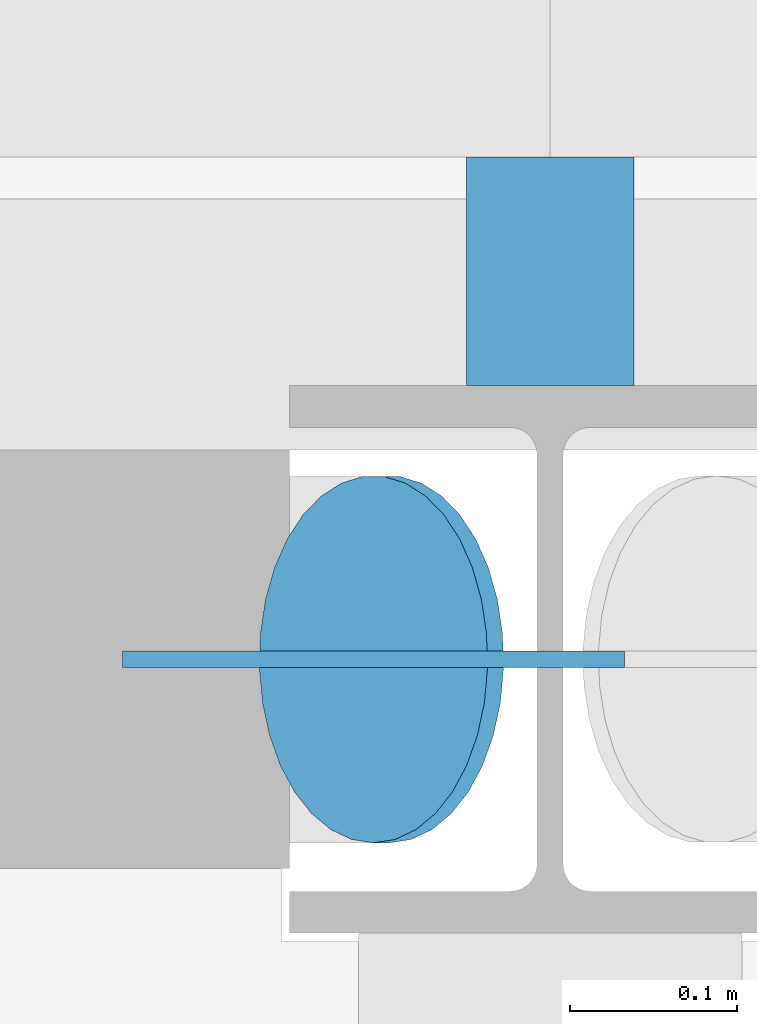
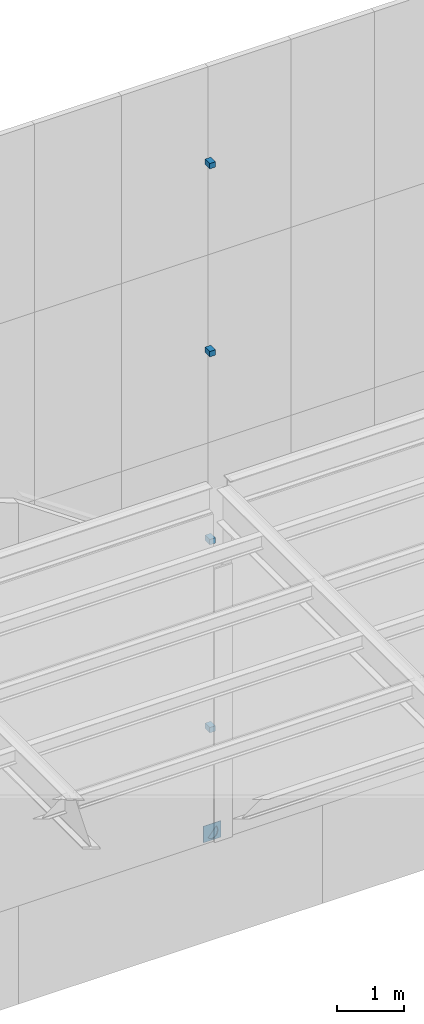
# One storey, part 28 of 43: 6 discrete accessories.
"""IFC4 building model written with IfcOpenShell, lengths in metres."""

from ifc_helpers import new_model, si_unit, direction, frame, origin, origin_2d, place, context, subcontext, project, spatial, rectangle, circle, extrude, material, material_profile, profile_set, type_object, element, save


model = new_model("IFC4")

# Units and contexts
model_context = context("Model", 3, precision=1e-05, world=origin(), true_north=direction((0.0, 1.0)))
body_context = subcontext(model_context, "Body", "Model", "MODEL_VIEW")
ifc_project = project(units=[si_unit("LENGTHUNIT", "METRE"), si_unit("AREAUNIT", "SQUARE_METRE"), si_unit("VOLUMEUNIT", "CUBIC_METRE"), si_unit("PLANEANGLEUNIT", "RADIAN"), si_unit("MASSUNIT", "GRAM", prefix="KILO")], contexts=[model_context])

# Site, building, storey
site_placement = place(None, origin())
site = spatial("IfcSite", under=ifc_project, at=site_placement, CompositionType="ELEMENT")
building_placement = place(site_placement, origin())
building = spatial("IfcBuilding", under=site, at=building_placement, Name="Saffron Lane Theatres", CompositionType="ELEMENT")
storey_placement = place(building_placement, frame((0.0, 0.0, 23.0)))
storey = spatial("IfcBuildingStorey", under=building, at=storey_placement, Name="Roof", CompositionType="ELEMENT", Elevation=23.0)

# Discrete accessories
ifc_material_1 = material(Name="Steel Grade 350", Category="steel")
ifc_material_profile_1 = material_profile(ifc_material_1, rectangle(XDim=0.300048828125, YDim=0.300048828125, at=origin_2d()))
ifc_profile_set_1 = profile_set([ifc_material_profile_1], Name="Steel Grade 350")
discrete_accessory_type_1 = type_object("IfcDiscreteAccessoryType", Name="ST-GUSSET CONNECTION PLATE", PredefinedType="BRACKET", material=ifc_profile_set_1)
discrete_accessory_1_placement = place(storey_placement, frame((41.89453125, 54.2451171875, 0.085205078125), z_axis=(0.0, 1.0, 0.0), x_axis=(-1.0, 0.0, 0.0)))
element("IfcDiscreteAccessory", 1, at=discrete_accessory_1_placement, inside=storey, type_object=discrete_accessory_type_1, Name="GB129", PredefinedType="BRACKET", context=body_context, shape_type="SweptSolid", body=[
    extrude(rectangle(XDim=0.300048828125, YDim=0.300048828125, at=origin_2d()), origin(), (0.0, 0.0, 1.0), 0.009765625),
])
ifc_material_2 = material(Name="Steel Grade 350", Category="steel")
ifc_material_profile_2 = material_profile(ifc_material_2, circle(Radius=0.109619140625, at=origin_2d()))
ifc_profile_set_2 = profile_set([ifc_material_profile_2], Name="Steel Grade 350")
discrete_accessory_type_2 = type_object("IfcDiscreteAccessoryType", Name="ST-STEEL END CAP 219.1x8.2 CHS", PredefinedType="ANCHORPLATE", material=ifc_profile_set_2)
discrete_accessory_2_placement = place(storey_placement, frame((41.904052734375, 54.25, 0.07763671875), z_axis=(-0.782823254756, 0.0, 0.622244125575), x_axis=(0.0, -1.0, 0.0)))
element("IfcDiscreteAccessory", 2, at=discrete_accessory_2_placement, inside=storey, type_object=discrete_accessory_type_2, Name="EC75", PredefinedType="ANCHORPLATE", context=body_context, shape_type="SweptSolid", body=[
    extrude(circle(Radius=0.109619140625, at=origin_2d()), origin(), (0.0, 0.0, 1.0), 0.01220703125),
])
for number, where, z_axis, x_axis, name in (
    (3, (42.0, 54.481689453125, 1.768798828125), (0.0, 0.0, 1.0), (1.0, 0.0, 0.0), "Tower panel bracket 41"),
    (4, (42.0, 54.481689453125, 5.206298828125), (0.0, 0.0, 1.0), (1.0, 0.0, 0.0), "Tower panel bracket 42"),
    (5, (42.0, 54.481689453125, 8.643798828125), (0.0, 0.0, 1.0), (1.0, 0.0, 0.0), "Tower panel bracket 43"),
    (6, (42.0, 54.481689453125, 12.081298828125), (0.0, 0.0, 1.0), (1.0, 0.0, 0.0), "Tower panel bracket 44"),
):
    element("IfcDiscreteAccessory", number, at=place(storey_placement, frame(where, z_axis=z_axis, x_axis=x_axis)), inside=storey, Name=name, PredefinedType="BRACKET", context=body_context, shape_type="SweptSolid", body=[
        extrude(rectangle(XDim=0.10009765625, YDim=0.136474609375, at=origin_2d()), origin(), (0.0, 0.0, 1.0), 0.10009765625),
    ])

save(model, "model.ifc")
